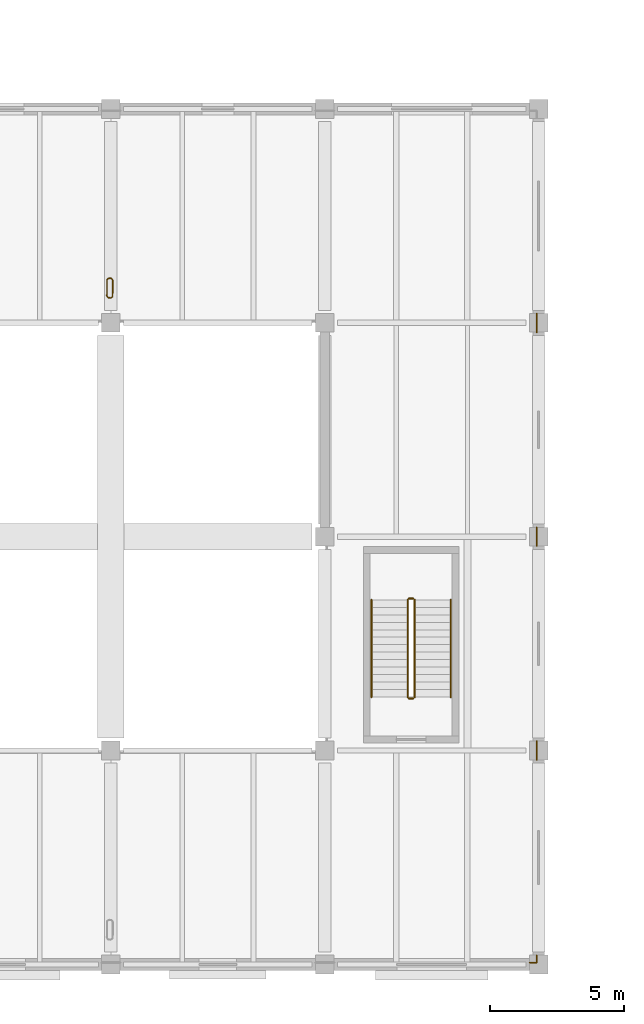
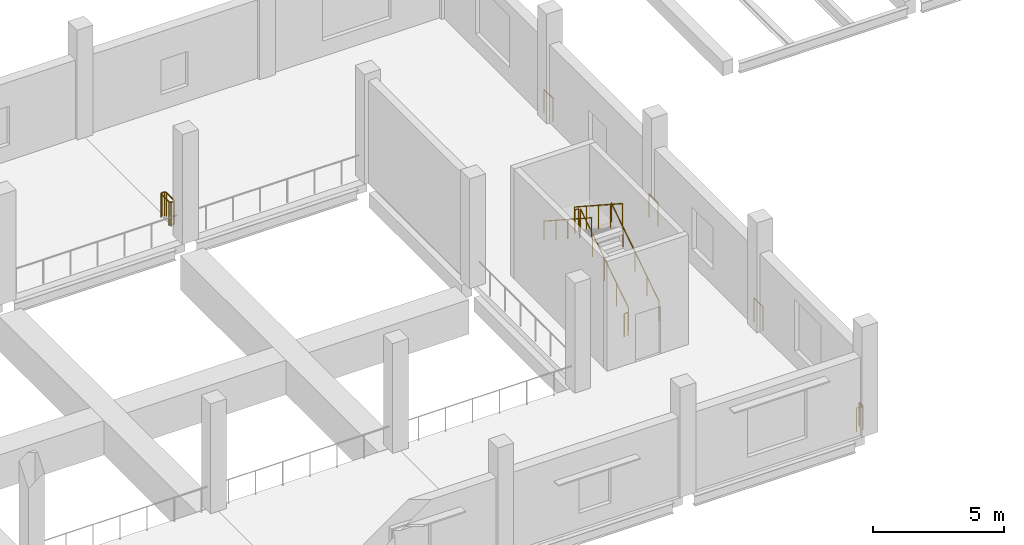
# One storey, part 43 of 61: 11 railings.
"""IFC4 building model written with IfcOpenShell, lengths in metres."""

from ifc_helpers import new_model, si_unit, direction, frame, origin, origin_2d, place, context, subcontext, project, spatial, circle, extrude, material, type_object, element, save


model = new_model("IFC4")

# Units and contexts
model_context = context("Model", 3, precision=1e-05, world=origin(), true_north=direction((0.0, 1.0)))
body_context = subcontext(model_context, "Body", "Model", "MODEL_VIEW")
ifc_project = project(units=[si_unit("LENGTHUNIT", "METRE"), si_unit("AREAUNIT", "SQUARE_METRE"), si_unit("VOLUMEUNIT", "CUBIC_METRE"), si_unit("PLANEANGLEUNIT", "RADIAN"), si_unit("MASSUNIT", "GRAM", prefix="KILO")], contexts=[model_context])

# Site, building, storey
site_placement = place(None, origin())
site = spatial("IfcSite", under=ifc_project, at=site_placement, CompositionType="ELEMENT")
building_placement = place(site_placement, origin())
building = spatial("IfcBuilding", under=site, at=building_placement, Name="Pecanmere Concourse Central Library", CompositionType="ELEMENT")
storey_placement = place(building_placement, frame((0.0, 0.0, 5.39990234375)))
storey = spatial("IfcBuildingStorey", under=building, at=storey_placement, Name="L02", CompositionType="ELEMENT", Elevation=5.39990234375)

# Railings
ifc_material_1 = material(Name="Architectural anodized bronze")
railing_type_1 = type_object("IfcRailingType", Name="RAIL_ATRIUM_BAL", PredefinedType="BALUSTRADE", material=ifc_material_1)
for number, where, name in (
    (1, (47.9296875, 24.344970703125, 0.0), "Deck Edge Protective Balustrade L02-084"),
    (2, (47.929931640625, 16.344970703125, 0.0), "Deck Edge Protective Balustrade L02-085"),
    (3, (47.929931640625, 8.344970703125, 0.0), "Deck Edge Protective Balustrade L02-086"),
):
    element("IfcRailing", number, at=place(storey_placement, frame(where)), inside=storey, type_object=railing_type_1, Name=name, PredefinedType="BALUSTRADE", context=body_context, shape_type="SweptSolid", body=[
        extrude(circle(Radius=0.02392578125, at=origin_2d()), frame((0.0, 0.0, 1.09619140625), z_axis=(0.0, -1.0, 0.0), x_axis=(1.0, 0.0, 0.0)), (0.0, 0.0, 1.0), 0.68994140625),
        extrude(circle(Radius=0.02099609375, at=origin_2d()), origin(), (0.0, 0.0, 1.0), 1.072021484375),
        extrude(circle(Radius=0.02099609375, at=origin_2d()), frame((0.0, -0.68994140625, 0.0)), (0.0, 0.0, 1.0), 1.072021484375),
    ])
railing_1_placement = place(storey_placement, frame((47.929931640625, 0.344970703125, 0.0)))
element("IfcRailing", 4, at=railing_1_placement, inside=storey, type_object=railing_type_1, Name="Deck Edge Protective Balustrade L02-087", PredefinedType="BALUSTRADE", context=body_context, shape_type="SweptSolid", body=[
    extrude(circle(Radius=0.02392578125, at=origin_2d()), frame((0.0, 0.0, 1.09619140625), z_axis=(0.0, -1.0, 0.0), x_axis=(1.0, 0.0, 0.0)), (0.0, 0.0, 1.0), 0.274658203125),
    extrude(circle(Radius=0.02392578125, at=origin_2d()), frame((0.0, -0.274658203125, 1.09619140625), z_axis=(-1.0, 0.0, 0.0), x_axis=(0.0, -1.0, 0.0)), (0.0, 0.0, 1.0), 0.27490234375),
    extrude(circle(Radius=0.02099609375, at=origin_2d()), origin(), (0.0, 0.0, 1.0), 1.072021484375),
    extrude(circle(Radius=0.02099609375, at=origin_2d()), frame((0.0, -0.274658203125, 0.0)), (0.0, 0.0, 1.0), 1.072021484375),
    extrude(circle(Radius=0.02099609375, at=origin_2d()), frame((-0.27490234375, -0.274658203125, 0.0)), (0.0, 0.0, 1.0), 1.072021484375),
])
railing_2_placement = place(storey_placement, frame((31.996826171875, 24.930419921875, 0.0)))
element("IfcRailing", 5, at=railing_2_placement, inside=storey, type_object=railing_type_1, Name="Deck Edge Protective Balustrade L02-098", PredefinedType="BALUSTRADE", context=body_context, shape_type="SweptSolid", body=[
    extrude(circle(Radius=0.02392578125, at=origin_2d()), frame((0.0, 0.0, 1.09619140625), z_axis=(0.806311430369, 0.591491231767, 0.0), x_axis=(-0.591491231767, 0.806311430369, 0.0)), (0.0, 0.0, 1.0), 0.0830078125),
    extrude(circle(Radius=0.02392578125, at=origin_2d()), frame((0.06689453125, 0.049072265625, 1.09619140625), z_axis=(0.009489489668, 0.999954973779, 0.0), x_axis=(-0.999954973779, 0.009489489668, 0.0)), (0.0, 0.0, 1.0), 0.617431640625),
    extrude(circle(Radius=0.02392578125, at=origin_2d()), frame((0.07275390625, 0.66650390625, 1.09619140625), z_axis=(-0.591491231767, 0.806311430369, 0.0), x_axis=(-0.806311430369, -0.591491231767, 0.0)), (0.0, 0.0, 1.0), 0.0830078125),
    extrude(circle(Radius=0.02392578125, at=origin_2d()), frame((0.023681640625, 0.7333984375, 1.09619140625), z_axis=(-0.998195860289, 0.060041856258, 0.0), x_axis=(-0.060041856258, -0.998195860289, 0.0)), (0.0, 0.0, 1.0), 0.09765625),
    extrude(circle(Radius=0.02392578125, at=origin_2d()), frame((-0.07373046875, 0.7392578125, 1.09619140625), z_axis=(-0.806311430369, -0.591491231767, 0.0), x_axis=(0.591491231767, -0.806311430369, 0.0)), (0.0, 0.0, 1.0), 0.0830078125),
    extrude(circle(Radius=0.02392578125, at=origin_2d()), frame((-0.140625, 0.690185546875, 1.09619140625), z_axis=(-0.009489489668, -0.999954973779, 0.0), x_axis=(0.999954973779, -0.009489489668, 0.0)), (0.0, 0.0, 1.0), 0.617431640625),
    extrude(circle(Radius=0.02392578125, at=origin_2d()), frame((-0.146484375, 0.07275390625, 1.09619140625), z_axis=(0.591491231767, -0.806311430369, 0.0), x_axis=(0.806311430369, 0.591491231767, 0.0)), (0.0, 0.0, 1.0), 0.0830078125),
    extrude(circle(Radius=0.02392578125, at=origin_2d()), frame((-0.097412109375, 0.005859375, 1.09619140625), z_axis=(0.998195860289, -0.060041856258, 0.0), x_axis=(0.060041856258, 0.998195860289, 0.0)), (0.0, 0.0, 1.0), 0.09765625),
    extrude(circle(Radius=0.02099609375, at=origin_2d()), origin(), (0.0, 0.0, 1.0), 1.072021484375),
    extrude(circle(Radius=0.02099609375, at=origin_2d()), frame((0.06689453125, 0.049072265625, 0.0)), (0.0, 0.0, 1.0), 1.072021484375),
    extrude(circle(Radius=0.02099609375, at=origin_2d()), frame((0.07275390625, 0.66650390625, 0.0)), (0.0, 0.0, 1.0), 1.072021484375),
    extrude(circle(Radius=0.02099609375, at=origin_2d()), frame((0.023681640625, 0.7333984375, 0.0)), (0.0, 0.0, 1.0), 1.072021484375),
    extrude(circle(Radius=0.02099609375, at=origin_2d()), frame((-0.07373046875, 0.7392578125, 0.0)), (0.0, 0.0, 1.0), 1.072021484375),
    extrude(circle(Radius=0.02099609375, at=origin_2d()), frame((-0.140625, 0.690185546875, 0.0)), (0.0, 0.0, 1.0), 1.072021484375),
    extrude(circle(Radius=0.02099609375, at=origin_2d()), frame((-0.146484375, 0.07275390625, 0.0)), (0.0, 0.0, 1.0), 1.072021484375),
    extrude(circle(Radius=0.02099609375, at=origin_2d()), frame((-0.097412109375, 0.005859375, 0.0)), (0.0, 0.0, 1.0), 1.072021484375),
])
ifc_material_2 = material(Name="Painted architectural steel ASTM A36", Category="steel")
railing_type_2 = type_object("IfcRailingType", Name="RAIL_STAIR_GUARD", PredefinedType="GUARDRAIL", material=ifc_material_2)
railing_3_placement = place(storey_placement, frame((43.360107421875, 10.0, 0.18212890625)))
element("IfcRailing", 6, at=railing_3_placement, inside=storey, type_object=railing_type_2, Name="L02 ST-07 Guard 1", PredefinedType="GUARDRAIL", context=body_context, shape_type="SweptSolid", body=[
    extrude(circle(Radius=0.02392578125, at=origin_2d()), frame((0.0, 0.0, 1.076171875), z_axis=(0.0, 0.838234174257, 0.545310433706), x_axis=(-1.0, 0.0, 0.0)), (0.0, 0.0, 1.0), 4.34228515625),
    extrude(circle(Radius=0.02099609375, at=origin_2d()), origin(), (0.0, 0.0, 1.0), 1.052001953125),
    extrude(circle(Radius=0.02099609375, at=origin_2d()), frame((0.0, 0.909912109375, 0.592041015625)), (0.0, 0.0, 1.0), 1.052001953125),
    extrude(circle(Radius=0.02099609375, at=origin_2d()), frame((0.0, 1.81982421875, 1.18408203125)), (0.0, 0.0, 1.0), 1.052001953125),
    extrude(circle(Radius=0.02099609375, at=origin_2d()), frame((0.0, 2.72998046875, 1.77587890625)), (0.0, 0.0, 1.0), 1.052001953125),
    extrude(circle(Radius=0.02099609375, at=origin_2d()), frame((0.0, 3.639892578125, 2.367919921875)), (0.0, 0.0, 1.0), 1.052001953125),
])
railing_4_placement = place(storey_placement, frame((43.31005859375, 13.68994140625, 2.550048828125)))
element("IfcRailing", 7, at=railing_4_placement, inside=storey, type_object=railing_type_2, Name="L02 ST-07 Guard 2", PredefinedType="GUARDRAIL", context=body_context, shape_type="SweptSolid", body=[
    extrude(circle(Radius=0.02392578125, at=origin_2d()), frame((0.0, 0.0, 1.076171875), z_axis=(-1.0, 0.0, 0.0), x_axis=(0.0, -1.0, 0.0)), (0.0, 0.0, 1.0), 0.16015625),
    extrude(circle(Radius=0.02099609375, at=origin_2d()), origin(), (0.0, 0.0, 1.0), 1.052001953125),
    extrude(circle(Radius=0.02099609375, at=origin_2d()), frame((-0.16015625, 0.0, 0.0)), (0.0, 0.0, 1.0), 1.052001953125),
])
railing_5_placement = place(storey_placement, frame((43.10009765625, 13.639892578125, 2.732177734375)))
element("IfcRailing", 8, at=railing_5_placement, inside=storey, type_object=railing_type_2, Name="L02 ST-07 Guard 3", PredefinedType="GUARDRAIL", context=body_context, shape_type="SweptSolid", body=[
    extrude(circle(Radius=0.02392578125, at=origin_2d()), frame((0.0, 0.0, 1.076171875), z_axis=(0.0, -0.838234174257, 0.545310433706), x_axis=(1.0, 0.0, 0.0)), (0.0, 0.0, 1.0), 4.34228515625),
    extrude(circle(Radius=0.02099609375, at=origin_2d()), origin(), (0.0, 0.0, 1.0), 1.052001953125),
    extrude(circle(Radius=0.02099609375, at=origin_2d()), frame((0.0, -0.909912109375, 0.592041015625)), (0.0, 0.0, 1.0), 1.052001953125),
    extrude(circle(Radius=0.02099609375, at=origin_2d()), frame((0.0, -1.81982421875, 1.18408203125)), (0.0, 0.0, 1.0), 1.052001953125),
    extrude(circle(Radius=0.02099609375, at=origin_2d()), frame((0.0, -2.72998046875, 1.77587890625)), (0.0, 0.0, 1.0), 1.052001953125),
    extrude(circle(Radius=0.02099609375, at=origin_2d()), frame((0.0, -3.639892578125, 2.367919921875)), (0.0, 0.0, 1.0), 1.052001953125),
])
railing_6_placement = place(storey_placement, frame((43.31005859375, 9.949951171875, 0.0)))
element("IfcRailing", 9, at=railing_6_placement, inside=storey, type_object=railing_type_2, Name="L02 ST-07 Guard 4", PredefinedType="GUARDRAIL", context=body_context, shape_type="SweptSolid", body=[
    extrude(circle(Radius=0.02392578125, at=origin_2d()), frame((0.0, 0.0, 1.076171875), z_axis=(-1.0, 0.0, 0.0), x_axis=(0.0, -1.0, 0.0)), (0.0, 0.0, 1.0), 0.16015625),
    extrude(circle(Radius=0.02099609375, at=origin_2d()), origin(), (0.0, 0.0, 1.0), 1.052001953125),
    extrude(circle(Radius=0.02099609375, at=origin_2d()), frame((-0.16015625, 0.0, 0.0)), (0.0, 0.0, 1.0), 1.052001953125),
])
ifc_material_3 = material(Name="Brushed stainless steel Grade 316", Category="steel")
railing_type_3 = type_object("IfcRailingType", Name="RAIL_STAIR_HR", PredefinedType="HANDRAIL", material=ifc_material_3)
railing_7_placement = place(storey_placement, frame((44.7099609375, 10.0, 0.18212890625)))
element("IfcRailing", 10, at=railing_7_placement, inside=storey, type_object=railing_type_3, Name="L02 ST-07 Handrail 1", PredefinedType="HANDRAIL", context=body_context, shape_type="SweptSolid", body=[
    extrude(circle(Radius=0.02392578125, at=origin_2d()), frame((0.0, 0.0, 0.89111328125), z_axis=(0.0, 0.838234174257, 0.545310433706), x_axis=(-1.0, 0.0, 0.0)), (0.0, 0.0, 1.0), 4.34228515625),
    extrude(circle(Radius=0.02099609375, at=origin_2d()), origin(), (0.0, 0.0, 1.0), 0.866943359375),
    extrude(circle(Radius=0.02099609375, at=origin_2d()), frame((0.0, 0.909912109375, 0.592041015625)), (0.0, 0.0, 1.0), 0.866943359375),
    extrude(circle(Radius=0.02099609375, at=origin_2d()), frame((0.0, 1.81982421875, 1.18408203125)), (0.0, 0.0, 1.0), 0.866943359375),
    extrude(circle(Radius=0.02099609375, at=origin_2d()), frame((0.0, 2.72998046875, 1.77587890625)), (0.0, 0.0, 1.0), 0.866943359375),
    extrude(circle(Radius=0.02099609375, at=origin_2d()), frame((0.0, 3.639892578125, 2.367919921875)), (0.0, 0.0, 1.0), 0.866943359375),
])
railing_8_placement = place(storey_placement, frame((41.75, 13.639892578125, 2.732177734375)))
element("IfcRailing", 11, at=railing_8_placement, inside=storey, type_object=railing_type_3, Name="L02 ST-07 Handrail 2", PredefinedType="HANDRAIL", context=body_context, shape_type="SweptSolid", body=[
    extrude(circle(Radius=0.02392578125, at=origin_2d()), frame((0.0, 0.0, 0.89111328125), z_axis=(0.0, -0.838234174257, 0.545310433706), x_axis=(1.0, 0.0, 0.0)), (0.0, 0.0, 1.0), 4.34228515625),
    extrude(circle(Radius=0.02099609375, at=origin_2d()), origin(), (0.0, 0.0, 1.0), 0.866943359375),
    extrude(circle(Radius=0.02099609375, at=origin_2d()), frame((0.0, -0.909912109375, 0.592041015625)), (0.0, 0.0, 1.0), 0.866943359375),
    extrude(circle(Radius=0.02099609375, at=origin_2d()), frame((0.0, -1.81982421875, 1.18408203125)), (0.0, 0.0, 1.0), 0.866943359375),
    extrude(circle(Radius=0.02099609375, at=origin_2d()), frame((0.0, -2.72998046875, 1.77587890625)), (0.0, 0.0, 1.0), 0.866943359375),
    extrude(circle(Radius=0.02099609375, at=origin_2d()), frame((0.0, -3.639892578125, 2.367919921875)), (0.0, 0.0, 1.0), 0.866943359375),
])

save(model, "model.ifc")
